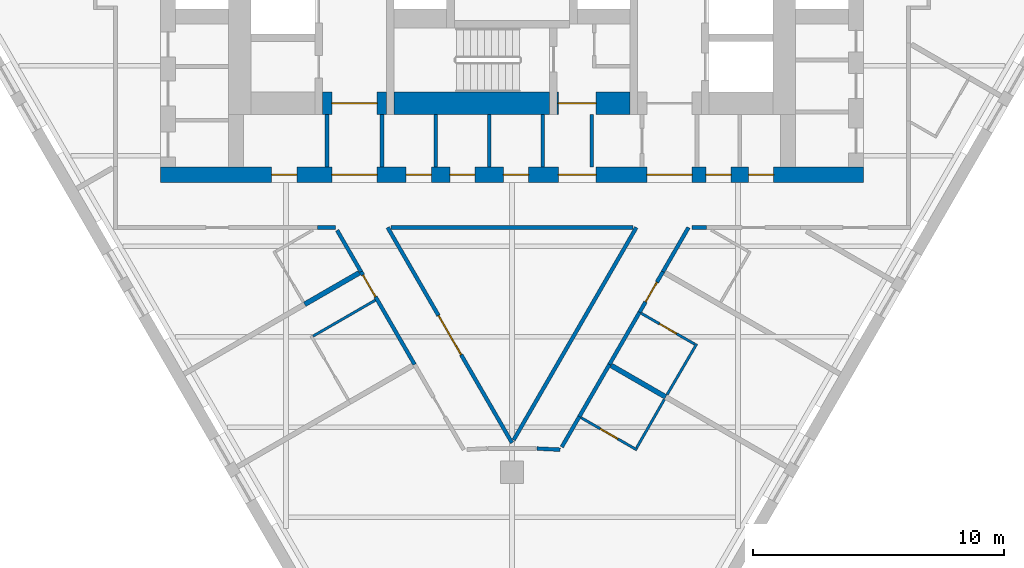
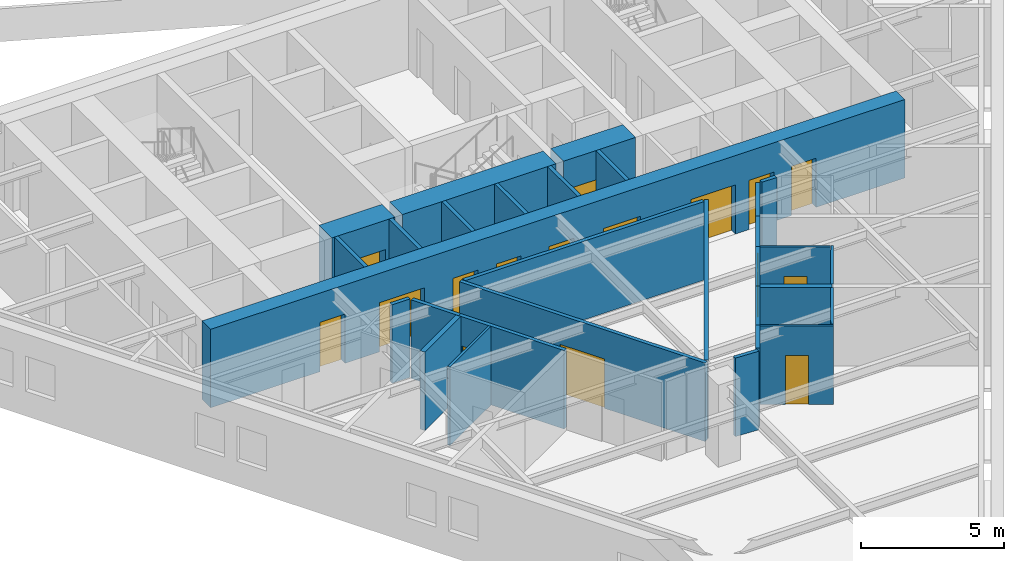
# One storey, part 3 of 10: 30 walls, 16 doors, 16 openings.
"""IFC4 building model written with IfcOpenShell, lengths in metres."""

from ifc_helpers import new_model, si_unit, direction, frame, frame_2d, origin, place, context, subcontext, project, spatial, rectangle, extrude, material, layer, layer_set, type_object, element, fill, save


model = new_model("IFC4")

# Units and contexts
model_context = context("Model", 3, precision=1e-05, world=origin(), true_north=direction((0.0, 1.0)))
body_context = subcontext(model_context, "Body", "Model", "MODEL_VIEW")
ifc_project = project(units=[si_unit("LENGTHUNIT", "METRE"), si_unit("AREAUNIT", "SQUARE_METRE"), si_unit("VOLUMEUNIT", "CUBIC_METRE"), si_unit("PLANEANGLEUNIT", "RADIAN"), si_unit("MASSUNIT", "GRAM", prefix="KILO")], contexts=[model_context])

# Site, building, storey
site_placement = place(None, origin())
site = spatial("IfcSite", under=ifc_project, at=site_placement, CompositionType="ELEMENT")
building_placement = place(site_placement, origin())
building = spatial("IfcBuilding", under=site, at=building_placement, Name="Aloe Facet Convention Tower", CompositionType="ELEMENT")
storey_placement = place(building_placement, frame((0.0, 0.0, 85.300048828125)))
storey = spatial("IfcBuildingStorey", under=building, at=storey_placement, Name="L20", CompositionType="ELEMENT", Elevation=85.300048828125)

# Walls
ifc_material_1 = material(Name="Concrete blockwork partition", Category="masonry")
ifc_layer_1 = layer(ifc_material_1, 0.14990234375)
ifc_layer_set_1 = layer_set([ifc_layer_1], Name="CR-W-PART150")
wall_type_1 = type_object("IfcWallType", Name="CR-W-PART150", PredefinedType="PARTITIONING", material=ifc_layer_set_1)
for number, where, z_axis, x_axis, name in (
    (1, (72.625, 122.25, 0.0), (0.0, 0.0, 1.0), (0.0, -1.0, 0.0), "Core partition L20-017"),
    (2, (74.824951171875, 122.25, 0.0), (0.0, 0.0, 1.0), (0.0, -1.0, 0.0), "Core partition L20-018"),
    (3, (76.958251953125, 122.25, 0.0), (0.0, 0.0, 1.0), (0.0, -1.0, 0.0), "Core partition L20-024"),
    (4, (79.091552734375, 122.25, 0.0), (0.0, 0.0, 1.0), (0.0, -1.0, 0.0), "Core partition L20-027"),
    (5, (81.22509765625, 122.25, 0.0), (0.0, 0.0, 1.0), (0.0, -1.0, 0.0), "Core partition L20-028"),
    (6, (83.175048828125, 122.25, 0.0), (0.0, 0.0, 1.0), (0.0, -1.0, 0.0), "Core partition L20-035"),
):
    element("IfcWall", number, at=place(storey_placement, frame(where, z_axis=z_axis, x_axis=x_axis)), inside=storey, type_object=wall_type_1, Name=name, PredefinedType="PARTITIONING", context=body_context, shape_type="SweptSolid", body=[
        extrude(rectangle(XDim=2.10009765625, YDim=0.14990234375, at=frame_2d((1.050048828125, 0.0))), origin(), (0.0, 0.0, 1.0), 3.349853515625),
    ])

# Wall, openings, doors
ifc_material_2 = material(Name="Concrete C70/85", Category="concrete")
ifc_layer_2 = layer(ifc_material_2, 0.60009765625)
ifc_layer_set_2 = layer_set([ifc_layer_2], Name="CR-W-RC600-C7085")
wall_type_2 = type_object("IfcWallType", Name="CR-W-RC600-C7085", PredefinedType="SOLIDWALL", material=ifc_layer_set_2)
wall_1_placement = place(storey_placement, frame((66.0, 119.85009765625, 0.0), z_axis=(0.0, 0.0, 1.0), x_axis=(1.0, 0.0, 0.0)))
wall_1 = element("IfcWall", 7, at=wall_1_placement, inside=storey, type_object=wall_type_2, Name="Core wall L20-003", PredefinedType="SOLIDWALL", context=body_context, shape_type="SweptSolid", body=[
    extrude(rectangle(XDim=28.0, YDim=0.60009765625, at=frame_2d((14.0, 0.0))), origin(), (0.0, 0.0, 1.0), 3.349853515625),
])
opening_1_placement = place(wall_1_placement, frame((6.824951171875, 0.0, 0.0)))
opening_1 = element("IfcOpeningElement", 8, at=opening_1_placement, cuts=wall_1, Name="Opening L20-CD17", PredefinedType="OPENING", context=body_context, shape_type="SweptSolid", body=[
    extrude(rectangle(XDim=1.800048828125, YDim=2.10009765625, at=frame_2d((0.89990234375, 1.050048828125))), frame((0.0, 0.31005859375, 0.0), z_axis=(0.0, -1.0, 0.0), x_axis=(1.0, 0.0, 0.0)), (0.0, 0.0, 1.0), 0.6201171875),
])
opening_2_placement = place(wall_1_placement, frame((15.85009765625, 0.0, 0.0)))
opening_2 = element("IfcOpeningElement", 9, at=opening_2_placement, cuts=wall_1, Name="Opening L20-CD18", PredefinedType="OPENING", context=body_context, shape_type="SweptSolid", body=[
    extrude(rectangle(XDim=1.5, YDim=2.10009765625, at=frame_2d((0.75, 1.050048828125))), frame((0.0, 0.31005859375, 0.0), z_axis=(0.0, -1.0, 0.0), x_axis=(1.0, 0.0, 0.0)), (0.0, 0.0, 1.0), 0.6201171875),
])
opening_3_placement = place(wall_1_placement, frame((19.375, 0.0, 0.0)))
opening_3 = element("IfcOpeningElement", 10, at=opening_3_placement, cuts=wall_1, Name="Opening L20-CD19", PredefinedType="OPENING", context=body_context, shape_type="SweptSolid", body=[
    extrude(rectangle(XDim=1.800048828125, YDim=2.10009765625, at=frame_2d((0.89990234375, 1.050048828125))), frame((0.0, 0.31005859375, 0.0), z_axis=(0.0, -1.0, 0.0), x_axis=(1.0, 0.0, 0.0)), (0.0, 0.0, 1.0), 0.6201171875),
])
opening_4_placement = place(wall_1_placement, frame((4.425048828125, 0.0, 0.0)))
opening_4 = element("IfcOpeningElement", 11, at=opening_4_placement, cuts=wall_1, Name="Opening L20-CD24", PredefinedType="OPENING", context=body_context, shape_type="SweptSolid", body=[
    extrude(rectangle(XDim=1.0, YDim=2.10009765625, at=frame_2d((0.5, 1.050048828125))), frame((0.0, 0.31005859375, 0.0), z_axis=(0.0, -1.0, 0.0), x_axis=(1.0, 0.0, 0.0)), (0.0, 0.0, 1.0), 0.6201171875),
])
opening_5_placement = place(wall_1_placement, frame((9.783203125, 0.0, 0.0)))
opening_5 = element("IfcOpeningElement", 12, at=opening_5_placement, cuts=wall_1, Name="Opening L20-CD25", PredefinedType="OPENING", context=body_context, shape_type="SweptSolid", body=[
    extrude(rectangle(XDim=1.0, YDim=2.10009765625, at=frame_2d((0.5, 1.050048828125))), frame((0.0, 0.31005859375, 0.0), z_axis=(0.0, -1.0, 0.0), x_axis=(1.0, 0.0, 0.0)), (0.0, 0.0, 1.0), 0.6201171875),
])
opening_6_placement = place(wall_1_placement, frame((11.52490234375, 0.0, 0.0)))
opening_6 = element("IfcOpeningElement", 13, at=opening_6_placement, cuts=wall_1, Name="Opening L20-CD26", PredefinedType="OPENING", context=body_context, shape_type="SweptSolid", body=[
    extrude(rectangle(XDim=1.0, YDim=2.10009765625, at=frame_2d((0.5, 1.050048828125))), frame((0.0, 0.31005859375, 0.0), z_axis=(0.0, -1.0, 0.0), x_axis=(1.0, 0.0, 0.0)), (0.0, 0.0, 1.0), 0.6201171875),
])
opening_7_placement = place(wall_1_placement, frame((13.658203125, 0.0, 0.0)))
opening_7 = element("IfcOpeningElement", 14, at=opening_7_placement, cuts=wall_1, Name="Opening L20-CD27", PredefinedType="OPENING", context=body_context, shape_type="SweptSolid", body=[
    extrude(rectangle(XDim=1.0, YDim=2.10009765625, at=frame_2d((0.5, 1.050048828125))), frame((0.0, 0.31005859375, 0.0), z_axis=(0.0, -1.0, 0.0), x_axis=(1.0, 0.0, 0.0)), (0.0, 0.0, 1.0), 0.6201171875),
])
opening_8_placement = place(wall_1_placement, frame((21.72509765625, 0.0, 0.0)))
opening_8 = element("IfcOpeningElement", 15, at=opening_8_placement, cuts=wall_1, Name="Opening L20-CD29", PredefinedType="OPENING", context=body_context, shape_type="SweptSolid", body=[
    extrude(rectangle(XDim=1.0, YDim=2.10009765625, at=frame_2d((0.5, 1.050048828125))), frame((0.0, 0.31005859375, 0.0), z_axis=(0.0, -1.0, 0.0), x_axis=(1.0, 0.0, 0.0)), (0.0, 0.0, 1.0), 0.6201171875),
])
opening_9_placement = place(wall_1_placement, frame((23.425048828125, 0.0, 0.0)))
opening_9 = element("IfcOpeningElement", 16, at=opening_9_placement, cuts=wall_1, Name="Opening L20-CD30", PredefinedType="OPENING", context=body_context, shape_type="SweptSolid", body=[
    extrude(rectangle(XDim=1.0, YDim=2.10009765625, at=frame_2d((0.5, 1.050048828125))), frame((0.0, 0.31005859375, 0.0), z_axis=(0.0, -1.0, 0.0), x_axis=(1.0, 0.0, 0.0)), (0.0, 0.0, 1.0), 0.6201171875),
])
ifc_material_3 = material(Name="Steel fire-resisting door set FD60", Category="steel")
door_type_1 = type_object("IfcDoorType", Name="CR-D-EXIT-1500-FD60-DD", OperationType="DOUBLE_DOOR_DOUBLE_SWING", PredefinedType="DOOR", material=ifc_material_3)
door_1_placement = place(opening_2_placement, origin())
door_1 = element("IfcDoor", 17, at=door_1_placement, inside=storey, type_object=door_type_1, Name="Core door L20-CD18", OperationType="DOUBLE_DOOR_DOUBLE_SWING", OverallHeight=2.10009765625, OverallWidth=1.5, PredefinedType="DOOR", context=body_context, shape_type="SweptSolid", body=[
    extrude(rectangle(XDim=1.5, YDim=2.10009765625, at=frame_2d((0.75, 1.050048828125))), frame((0.0, 0.02490234375, 0.0), z_axis=(0.0, -1.0, 0.0), x_axis=(1.0, 0.0, 0.0)), (0.0, 0.0, 1.0), 0.050048828125),
])
fill(opening_2, door_1)
ifc_material_4 = material(Name="Steel fire-resisting door set FD60", Category="steel")
door_type_2 = type_object("IfcDoorType", Name="CR-D-EXIT-1800-FD60-DD", OperationType="DOUBLE_DOOR_DOUBLE_SWING", PredefinedType="DOOR", material=ifc_material_4)
door_2_placement = place(opening_1_placement, origin())
door_2 = element("IfcDoor", 18, at=door_2_placement, inside=storey, type_object=door_type_2, Name="Core door L20-CD17", OperationType="DOUBLE_DOOR_DOUBLE_SWING", OverallHeight=2.10009765625, OverallWidth=1.800048828125, PredefinedType="DOOR", context=body_context, shape_type="SweptSolid", body=[
    extrude(rectangle(XDim=1.800048828125, YDim=2.10009765625, at=frame_2d((0.89990234375, 1.050048828125))), frame((0.0, 0.02490234375, 0.0), z_axis=(0.0, -1.0, 0.0), x_axis=(1.0, 0.0, 0.0)), (0.0, 0.0, 1.0), 0.050048828125),
])
fill(opening_1, door_2)
door_3_placement = place(opening_3_placement, origin())
door_3 = element("IfcDoor", 19, at=door_3_placement, inside=storey, type_object=door_type_2, Name="Core door L20-CD19", OperationType="DOUBLE_DOOR_DOUBLE_SWING", OverallHeight=2.10009765625, OverallWidth=1.800048828125, PredefinedType="DOOR", context=body_context, shape_type="SweptSolid", body=[
    extrude(rectangle(XDim=1.800048828125, YDim=2.10009765625, at=frame_2d((0.89990234375, 1.050048828125))), frame((0.0, 0.02490234375, 0.0), z_axis=(0.0, -1.0, 0.0), x_axis=(1.0, 0.0, 0.0)), (0.0, 0.0, 1.0), 0.050048828125),
])
fill(opening_3, door_3)
ifc_material_5 = material(Name="Steel fire-resisting door set FD60", Category="steel")
door_type_3 = type_object("IfcDoorType", Name="CR-D-ROOM-1000-FD60-SRIGHT", OperationType="SINGLE_SWING_RIGHT", PredefinedType="DOOR", material=ifc_material_5)
door_4_placement = place(opening_4_placement, origin())
door_4 = element("IfcDoor", 20, at=door_4_placement, inside=storey, type_object=door_type_3, Name="Core door L20-CD24", OperationType="SINGLE_SWING_RIGHT", OverallHeight=2.10009765625, OverallWidth=1.0, PredefinedType="DOOR", context=body_context, shape_type="SweptSolid", body=[
    extrude(rectangle(XDim=1.0, YDim=2.10009765625, at=frame_2d((0.5, 1.050048828125))), frame((0.0, 0.02490234375, 0.0), z_axis=(0.0, -1.0, 0.0), x_axis=(1.0, 0.0, 0.0)), (0.0, 0.0, 1.0), 0.050048828125),
])
fill(opening_4, door_4)
door_5_placement = place(opening_5_placement, origin())
door_5 = element("IfcDoor", 21, at=door_5_placement, inside=storey, type_object=door_type_3, Name="Core door L20-CD25", OperationType="SINGLE_SWING_RIGHT", OverallHeight=2.10009765625, OverallWidth=1.0, PredefinedType="DOOR", context=body_context, shape_type="SweptSolid", body=[
    extrude(rectangle(XDim=1.0, YDim=2.10009765625, at=frame_2d((0.5, 1.050048828125))), frame((0.0, 0.02490234375, 0.0), z_axis=(0.0, -1.0, 0.0), x_axis=(1.0, 0.0, 0.0)), (0.0, 0.0, 1.0), 0.050048828125),
])
fill(opening_5, door_5)
door_6_placement = place(opening_6_placement, origin())
door_6 = element("IfcDoor", 22, at=door_6_placement, inside=storey, type_object=door_type_3, Name="Core door L20-CD26", OperationType="SINGLE_SWING_RIGHT", OverallHeight=2.10009765625, OverallWidth=1.0, PredefinedType="DOOR", context=body_context, shape_type="SweptSolid", body=[
    extrude(rectangle(XDim=1.0, YDim=2.10009765625, at=frame_2d((0.5, 1.050048828125))), frame((0.0, 0.02490234375, 0.0), z_axis=(0.0, -1.0, 0.0), x_axis=(1.0, 0.0, 0.0)), (0.0, 0.0, 1.0), 0.050048828125),
])
fill(opening_6, door_6)
door_7_placement = place(opening_7_placement, origin())
door_7 = element("IfcDoor", 23, at=door_7_placement, inside=storey, type_object=door_type_3, Name="Core door L20-CD27", OperationType="SINGLE_SWING_RIGHT", OverallHeight=2.10009765625, OverallWidth=1.0, PredefinedType="DOOR", context=body_context, shape_type="SweptSolid", body=[
    extrude(rectangle(XDim=1.0, YDim=2.10009765625, at=frame_2d((0.5, 1.050048828125))), frame((0.0, 0.02490234375, 0.0), z_axis=(0.0, -1.0, 0.0), x_axis=(1.0, 0.0, 0.0)), (0.0, 0.0, 1.0), 0.050048828125),
])
fill(opening_7, door_7)
door_8_placement = place(opening_8_placement, origin())
door_8 = element("IfcDoor", 24, at=door_8_placement, inside=storey, type_object=door_type_3, Name="Core door L20-CD29", OperationType="SINGLE_SWING_RIGHT", OverallHeight=2.10009765625, OverallWidth=1.0, PredefinedType="DOOR", context=body_context, shape_type="SweptSolid", body=[
    extrude(rectangle(XDim=1.0, YDim=2.10009765625, at=frame_2d((0.5, 1.050048828125))), frame((0.0, 0.02490234375, 0.0), z_axis=(0.0, -1.0, 0.0), x_axis=(1.0, 0.0, 0.0)), (0.0, 0.0, 1.0), 0.050048828125),
])
fill(opening_8, door_8)
door_9_placement = place(opening_9_placement, origin())
door_9 = element("IfcDoor", 25, at=door_9_placement, inside=storey, type_object=door_type_3, Name="Core door L20-CD30", OperationType="SINGLE_SWING_RIGHT", OverallHeight=2.10009765625, OverallWidth=1.0, PredefinedType="DOOR", context=body_context, shape_type="SweptSolid", body=[
    extrude(rectangle(XDim=1.0, YDim=2.10009765625, at=frame_2d((0.5, 1.050048828125))), frame((0.0, 0.02490234375, 0.0), z_axis=(0.0, -1.0, 0.0), x_axis=(1.0, 0.0, 0.0)), (0.0, 0.0, 1.0), 0.050048828125),
])
fill(opening_9, door_9)

# Wall, opening, door
ifc_material_6 = material(Name="Concrete C70/85", Category="concrete")
ifc_layer_3 = layer(ifc_material_6, 0.89990234375)
ifc_layer_set_3 = layer_set([ifc_layer_3], Name="CR-W-RC900-C7085")
wall_type_3 = type_object("IfcWallType", Name="CR-W-RC900-C7085", PredefinedType="SOLIDWALL", material=ifc_layer_set_3)
wall_2_placement = place(storey_placement, frame((72.449951171875, 122.699951171875, 0.0), z_axis=(0.0, 0.0, 1.0), x_axis=(1.0, 0.0, 0.0)))
wall_2 = element("IfcWall", 26, at=wall_2_placement, inside=storey, type_object=wall_type_3, Name="Core wall L20-016", PredefinedType="SOLIDWALL", context=body_context, shape_type="SweptSolid", body=[
    extrude(rectangle(XDim=2.550048828125, YDim=0.89990234375, at=frame_2d((1.27490234375, 0.0))), origin(), (0.0, 0.0, 1.0), 3.349853515625),
])
opening_10_placement = place(wall_2_placement, frame((0.375, 0.0, 0.0)))
opening_10 = element("IfcOpeningElement", 27, at=opening_10_placement, cuts=wall_2, Name="Opening L20-CD15", PredefinedType="OPENING", context=body_context, shape_type="SweptSolid", body=[
    extrude(rectangle(XDim=1.800048828125, YDim=2.10009765625, at=frame_2d((0.89990234375, 1.050048828125))), frame((0.0, 0.4599609375, 0.0), z_axis=(0.0, -1.0, 0.0), x_axis=(1.0, 0.0, 0.0)), (0.0, 0.0, 1.0), 0.919921875),
])
ifc_material_7 = material(Name="Steel fire-resisting door set FD120", Category="steel")
door_type_4 = type_object("IfcDoorType", Name="CR-D-EXIT-1800-FD120-DD", OperationType="DOUBLE_DOOR_DOUBLE_SWING", PredefinedType="DOOR", material=ifc_material_7)
door_10_placement = place(opening_10_placement, origin())
door_10 = element("IfcDoor", 28, at=door_10_placement, inside=storey, type_object=door_type_4, Name="Core door L20-CD15", OperationType="DOUBLE_DOOR_DOUBLE_SWING", OverallHeight=2.10009765625, OverallWidth=1.800048828125, PredefinedType="DOOR", context=body_context, shape_type="SweptSolid", body=[
    extrude(rectangle(XDim=1.800048828125, YDim=2.10009765625, at=frame_2d((0.89990234375, 1.050048828125))), frame((0.0, 0.02490234375, 0.0), z_axis=(0.0, -1.0, 0.0), x_axis=(1.0, 0.0, 0.0)), (0.0, 0.0, 1.0), 0.050048828125),
])
fill(opening_10, door_10)

# Wall
wall_3_placement = place(storey_placement, frame((75.300048828125, 122.699951171875, 0.0), z_axis=(0.0, 0.0, 1.0), x_axis=(1.0, 0.0, 0.0)))
element("IfcWall", 29, at=wall_3_placement, inside=storey, type_object=wall_type_3, Name="Core wall L20-023", PredefinedType="SOLIDWALL", context=body_context, shape_type="SweptSolid", body=[
    extrude(rectangle(XDim=6.199951171875, YDim=0.89990234375, at=frame_2d((3.10009765625, 0.0))), origin(), (0.0, 0.0, 1.0), 3.349853515625),
])

# Wall, opening, door
wall_4_placement = place(storey_placement, frame((81.800048828125, 122.699951171875, 0.0), z_axis=(0.0, 0.0, 1.0), x_axis=(1.0, 0.0, 0.0)))
wall_4 = element("IfcWall", 30, at=wall_4_placement, inside=storey, type_object=wall_type_3, Name="Core wall L20-030", PredefinedType="SOLIDWALL", context=body_context, shape_type="SweptSolid", body=[
    extrude(rectangle(XDim=2.89990234375, YDim=0.89990234375, at=frame_2d((1.449951171875, 0.0))), origin(), (0.0, 0.0, 1.0), 3.349853515625),
])
opening_11_placement = place(wall_4_placement, frame((0.050048828125, 0.0, 0.0)))
opening_11 = element("IfcOpeningElement", 31, at=opening_11_placement, cuts=wall_4, Name="Opening L20-CD16", PredefinedType="OPENING", context=body_context, shape_type="SweptSolid", body=[
    extrude(rectangle(XDim=1.5, YDim=2.10009765625, at=frame_2d((0.75, 1.050048828125))), frame((0.0, 0.4599609375, 0.0), z_axis=(0.0, -1.0, 0.0), x_axis=(1.0, 0.0, 0.0)), (0.0, 0.0, 1.0), 0.919921875),
])
door_11_placement = place(opening_11_placement, origin())
door_11 = element("IfcDoor", 32, at=door_11_placement, inside=storey, type_object=door_type_1, Name="Core door L20-CD16", OperationType="DOUBLE_DOOR_DOUBLE_SWING", OverallHeight=2.10009765625, OverallWidth=1.5, PredefinedType="DOOR", context=body_context, shape_type="SweptSolid", body=[
    extrude(rectangle(XDim=1.5, YDim=2.10009765625, at=frame_2d((0.75, 1.050048828125))), frame((0.0, 0.02490234375, 0.0), z_axis=(0.0, -1.0, 0.0), x_axis=(1.0, 0.0, 0.0)), (0.0, 0.0, 1.0), 0.050048828125),
])
fill(opening_11, door_11)

# Walls
ifc_material_8 = material(Name="Gypsum board partition on steel studs", Category="steel")
ifc_layer_4 = layer(ifc_material_8, 0.14990234375)
ifc_layer_set_4 = layer_set([ifc_layer_4], Name="IN-W-CORR")
wall_type_4 = type_object("IfcWallType", Name="IN-W-CORR", PredefinedType="PARTITIONING", material=ifc_layer_set_4)
wall_5_placement = place(storey_placement, frame((81.00048828125, 108.942626953125, 0.0), z_axis=(0.0, 0.0, 1.0), x_axis=(0.998784510433, -0.04928997584, 0.0)))
element("IfcWall", 33, at=wall_5_placement, inside=storey, type_object=wall_type_4, Name="Partition L20-W004", PredefinedType="PARTITIONING", context=body_context, shape_type="SweptSolid", body=[
    extrude(rectangle(XDim=0.92138671875, YDim=0.14990234375, at=frame_2d((0.460693359375, 0.0))), origin(), (0.0, 0.0, 1.0), 3.349853515625),
])
wall_6_placement = place(storey_placement, frame((82.680908203125, 110.2138671875, 0.0), z_axis=(0.0, 0.0, 1.0), x_axis=(0.500001309137, 0.866024647952, 0.0)))
element("IfcWall", 34, at=wall_6_placement, inside=storey, type_object=wall_type_4, Name="Partition L20-W010", PredefinedType="PARTITIONING", context=body_context, shape_type="SweptSolid", body=[
    extrude(rectangle(XDim=2.39990234375, YDim=0.14990234375, at=frame_2d((1.199951171875, 0.0))), origin(), (0.0, 0.0, 1.0), 3.349853515625),
])
wall_7_placement = place(storey_placement, frame((81.982177734375, 109.003662109375, 0.0), z_axis=(0.0, 0.0, 1.0), x_axis=(0.500009789943, 0.866019751484, 0.0)))
element("IfcWall", 35, at=wall_7_placement, inside=storey, type_object=wall_type_4, Name="Partition L20-W011", PredefinedType="PARTITIONING", context=body_context, shape_type="SweptSolid", body=[
    extrude(rectangle(XDim=1.3974609375, YDim=0.14990234375, at=frame_2d((0.69873046875, 0.0))), origin(), (0.0, 0.0, 1.0), 3.349853515625),
])

# Wall, opening, door
wall_8_placement = place(storey_placement, frame((73.987060546875, 115.9853515625, 0.0), z_axis=(0.0, 0.0, 1.0), x_axis=(0.4999752019, -0.866039720501, 0.0)))
wall_8 = element("IfcWall", 36, at=wall_8_placement, inside=storey, type_object=wall_type_4, Name="Partition L20-W019", PredefinedType="PARTITIONING", context=body_context, shape_type="SweptSolid", body=[
    extrude(rectangle(XDim=4.264404296875, YDim=0.14990234375, at=frame_2d((2.13232421875, 0.0))), origin(), (0.0, 0.0, 1.0), 3.349853515625),
])
opening_12_placement = place(wall_8_placement, frame((0.14990234375, 0.0, 0.0)))
opening_12 = element("IfcOpeningElement", 37, at=opening_12_placement, cuts=wall_8, Name="Opening L20-002", PredefinedType="OPENING", context=body_context, shape_type="SweptSolid", body=[
    extrude(rectangle(XDim=1.0, YDim=2.10009765625, at=frame_2d((0.5, 1.050048828125))), frame((0.0, 0.0849609375, 0.0), z_axis=(0.0, -1.0, 0.0), x_axis=(1.0, 0.0, 0.0)), (0.0, 0.0, 1.0), 0.169921875),
])
ifc_material_9 = material(Name="Hardwood flush door FD30S", Category="wood")
door_type_5 = type_object("IfcDoorType", Name="IN-D-WIDE", OperationType="SINGLE_SWING_LEFT", PredefinedType="DOOR", material=ifc_material_9)
door_12_placement = place(opening_12_placement, origin())
door_12 = element("IfcDoor", 38, at=door_12_placement, inside=storey, type_object=door_type_5, Name="Door L20-002", OperationType="SINGLE_SWING_LEFT", OverallHeight=2.10009765625, OverallWidth=1.0, PredefinedType="DOOR", context=body_context, shape_type="SweptSolid", body=[
    extrude(rectangle(XDim=1.0, YDim=2.10009765625, at=frame_2d((0.5, 1.050048828125))), frame((0.0, 0.02490234375, 0.0), z_axis=(0.0, -1.0, 0.0), x_axis=(1.0, 0.0, 0.0)), (0.0, 0.0, 1.0), 0.050048828125),
])
fill(opening_12, door_12)

# Wall
wall_9_placement = place(storey_placement, frame((83.880859375, 112.292236328125, 0.0), z_axis=(0.0, 0.0, 1.0), x_axis=(0.500001309137, 0.866024647952, 0.0)))
element("IfcWall", 39, at=wall_9_placement, inside=storey, type_object=wall_type_4, Name="Partition L20-W021", PredefinedType="PARTITIONING", context=body_context, shape_type="SweptSolid", body=[
    extrude(rectangle(XDim=2.39990234375, YDim=0.14990234375, at=frame_2d((1.199951171875, 0.0))), origin(), (0.0, 0.0, 1.0), 3.349853515625),
])

# Wall, opening, door
wall_10_placement = place(storey_placement, frame((85.080810546875, 114.37060546875, 0.0), z_axis=(0.0, 0.0, 1.0), x_axis=(0.499941596792, 0.866059120267, 0.0)))
wall_10 = element("IfcWall", 40, at=wall_10_placement, inside=storey, type_object=wall_type_4, Name="Partition L20-W032", PredefinedType="PARTITIONING", context=body_context, shape_type="SweptSolid", body=[
    extrude(rectangle(XDim=1.864501953125, YDim=0.14990234375, at=frame_2d((0.93212890625, 0.0))), origin(), (0.0, 0.0, 1.0), 3.349853515625),
])
opening_13_placement = place(wall_10_placement, frame((0.482177734375, 0.0, 0.0)))
opening_13 = element("IfcOpeningElement", 41, at=opening_13_placement, cuts=wall_10, Name="Opening L20-004", PredefinedType="OPENING", context=body_context, shape_type="SweptSolid", body=[
    extrude(rectangle(XDim=0.89990234375, YDim=2.10009765625, at=frame_2d((0.449951171875, 1.050048828125))), frame((0.0, 0.0849609375, 0.0), z_axis=(0.0, -1.0, 0.0), x_axis=(1.0, 0.0, 0.0)), (0.0, 0.0, 1.0), 0.169921875),
])
ifc_material_10 = material(Name="Hardwood flush door FD30S", Category="wood")
door_type_6 = type_object("IfcDoorType", Name="IN-D-GUEST", OperationType="SINGLE_SWING_LEFT", PredefinedType="DOOR", material=ifc_material_10)
door_13_placement = place(opening_13_placement, origin())
door_13 = element("IfcDoor", 42, at=door_13_placement, inside=storey, type_object=door_type_6, Name="Door L20-004", OperationType="SINGLE_SWING_LEFT", OverallHeight=2.10009765625, OverallWidth=0.89990234375, PredefinedType="DOOR", context=body_context, shape_type="SweptSolid", body=[
    extrude(rectangle(XDim=0.89990234375, YDim=2.10009765625, at=frame_2d((0.449951171875, 1.050048828125))), frame((0.0, 0.02490234375, 0.0), z_axis=(0.0, -1.0, 0.0), x_axis=(1.0, 0.0, 0.0)), (0.0, 0.0, 1.0), 0.050048828125),
])
fill(opening_13, door_13)

# Walls
wall_11_placement = place(storey_placement, frame((86.012939453125, 115.9853515625, 0.0), z_axis=(0.0, 0.0, 1.0), x_axis=(0.499992114976, 0.866029956157, 0.0)))
element("IfcWall", 43, at=wall_11_placement, inside=storey, type_object=wall_type_4, Name="Partition L20-W034", PredefinedType="PARTITIONING", context=body_context, shape_type="SweptSolid", body=[
    extrude(rectangle(XDim=2.03759765625, YDim=0.14990234375, at=frame_2d((1.018798828125, 0.0))), origin(), (0.0, 0.0, 1.0), 3.349853515625),
])
wall_12_placement = place(storey_placement, frame((72.24365234375, 117.75, 0.0), z_axis=(0.0, 0.0, 1.0), x_axis=(1.0, 0.0, 0.0)))
element("IfcWall", 44, at=wall_12_placement, inside=storey, type_object=wall_type_4, Name="Partition L20-W038", PredefinedType="PARTITIONING", context=body_context, shape_type="SweptSolid", body=[
    extrude(rectangle(XDim=0.724609375, YDim=0.14990234375, at=frame_2d((0.3623046875, 0.0))), origin(), (0.0, 0.0, 1.0), 3.349853515625),
])
wall_13_placement = place(storey_placement, frame((73.033203125, 117.637451171875, 0.0), z_axis=(0.0, 0.0, 1.0), x_axis=(0.500006788699, -0.866021484292, 0.0)))
element("IfcWall", 45, at=wall_13_placement, inside=storey, type_object=wall_type_4, Name="Partition L20-W040", PredefinedType="PARTITIONING", context=body_context, shape_type="SweptSolid", body=[
    extrude(rectangle(XDim=1.90771484375, YDim=0.14990234375, at=frame_2d((0.953857421875, 0.0))), origin(), (0.0, 0.0, 1.0), 3.349853515625),
])

# Wall, opening, door
wall_14_placement = place(storey_placement, frame((75.046630859375, 117.75, 0.0), z_axis=(0.0, 0.0, 1.0), x_axis=(0.499995505729, -0.866027998537, 0.0)))
wall_14 = element("IfcWall", 46, at=wall_14_placement, inside=storey, type_object=wall_type_4, Name="Partition L20-W041", PredefinedType="PARTITIONING", context=body_context, shape_type="SweptSolid", body=[
    extrude(rectangle(XDim=9.90673828125, YDim=0.14990234375, at=frame_2d((4.953369140625, 0.0))), origin(), (0.0, 0.0, 1.0), 3.349853515625),
])
opening_14_placement = place(wall_14_placement, frame((4.053466796875, 0.0, 0.0)))
opening_14 = element("IfcOpeningElement", 47, at=opening_14_placement, cuts=wall_14, Name="Opening L20-009", PredefinedType="OPENING", context=body_context, shape_type="SweptSolid", body=[
    extrude(rectangle(XDim=1.800048828125, YDim=2.10009765625, at=frame_2d((0.89990234375, 1.050048828125))), frame((0.0, 0.0849609375, 0.0), z_axis=(0.0, -1.0, 0.0), x_axis=(1.0, 0.0, 0.0)), (0.0, 0.0, 1.0), 0.169921875),
])
ifc_material_11 = material(Name="Timber flush door pair", Category="wood")
door_type_7 = type_object("IfcDoorType", Name="IN-D-PAIR-U", OperationType="DOUBLE_DOOR_SINGLE_SWING", PredefinedType="DOOR", material=ifc_material_11)
door_14_placement = place(opening_14_placement, origin())
door_14 = element("IfcDoor", 48, at=door_14_placement, inside=storey, type_object=door_type_7, Name="Door L20-009", OperationType="SINGLE_SWING_LEFT", OverallHeight=2.10009765625, OverallWidth=1.800048828125, PredefinedType="DOOR", context=body_context, shape_type="SweptSolid", body=[
    extrude(rectangle(XDim=1.800048828125, YDim=2.10009765625, at=frame_2d((0.89990234375, 1.050048828125))), frame((0.0, 0.02490234375, 0.0), z_axis=(0.0, -1.0, 0.0), x_axis=(1.0, 0.0, 0.0)), (0.0, 0.0, 1.0), 0.050048828125),
])
fill(opening_14, door_14)

# Walls
wall_15_placement = place(storey_placement, frame((80.06494140625, 109.282958984375, 0.0), z_axis=(0.0, 0.0, 1.0), x_axis=(0.49999841397, 0.866026319477, 0.0)))
element("IfcWall", 49, at=wall_15_placement, inside=storey, type_object=wall_type_4, Name="Partition L20-W042", PredefinedType="PARTITIONING", context=body_context, shape_type="SweptSolid", body=[
    extrude(rectangle(XDim=9.77685546875, YDim=0.14990234375, at=frame_2d((4.888427734375, 0.0))), origin(), (0.0, 0.0, 1.0), 3.349853515625),
])
wall_16_placement = place(storey_placement, frame((75.176513671875, 117.75, 0.0), z_axis=(0.0, 0.0, 1.0), x_axis=(1.0, 0.0, 0.0)))
element("IfcWall", 50, at=wall_16_placement, inside=storey, type_object=wall_type_4, Name="Partition L20-W043", PredefinedType="PARTITIONING", context=body_context, shape_type="SweptSolid", body=[
    extrude(rectangle(XDim=9.64697265625, YDim=0.14990234375, at=frame_2d((4.823486328125, 0.0))), origin(), (0.0, 0.0, 1.0), 3.349853515625),
])
wall_17_placement = place(storey_placement, frame((87.16162109375, 117.75, 0.0), z_axis=(0.0, 0.0, 1.0), x_axis=(1.0, 0.0, 0.0)))
element("IfcWall", 51, at=wall_17_placement, inside=storey, type_object=wall_type_4, Name="Partition L20-W044", PredefinedType="PARTITIONING", context=body_context, shape_type="SweptSolid", body=[
    extrude(rectangle(XDim=0.5947265625, YDim=0.14990234375, at=frame_2d((0.29736328125, 0.0))), origin(), (0.0, 0.0, 1.0), 3.349853515625),
])

# Wall, opening, door
ifc_material_12 = material(Name="Gypsum board partition on steel studs", Category="steel")
ifc_layer_5 = layer(ifc_material_12, 0.10009765625)
ifc_layer_set_5 = layer_set([ifc_layer_5], Name="IN-W-PART")
wall_type_5 = type_object("IfcWallType", Name="IN-W-PART", PredefinedType="PARTITIONING", material=ifc_layer_set_5)
wall_18_placement = place(storey_placement, frame((82.75439453125, 110.17138671875, 0.0), z_axis=(0.0, 0.0, 1.0), x_axis=(0.866038183914, -0.499977863513, 0.0)))
wall_18 = element("IfcWall", 52, at=wall_18_placement, inside=storey, type_object=wall_type_5, Name="Partition L20-W005", PredefinedType="PARTITIONING", context=body_context, shape_type="SweptSolid", body=[
    extrude(rectangle(XDim=2.56494140625, YDim=0.10009765625, at=frame_2d((1.282470703125, 0.0))), origin(), (0.0, 0.0, 1.0), 3.349853515625),
])
opening_15_placement = place(wall_18_placement, frame((0.882568359375, 0.0, 0.0)))
opening_15 = element("IfcOpeningElement", 53, at=opening_15_placement, cuts=wall_18, Name="Opening L20-012", PredefinedType="OPENING", context=body_context, shape_type="SweptSolid", body=[
    extrude(rectangle(XDim=0.800048828125, YDim=2.10009765625, at=frame_2d((0.39990234375, 1.050048828125))), frame((0.0, 0.06005859375, 0.0), z_axis=(0.0, -1.0, 0.0), x_axis=(1.0, 0.0, 0.0)), (0.0, 0.0, 1.0), 0.1201171875),
])
ifc_material_13 = material(Name="Timber flush door", Category="wood")
door_type_8 = type_object("IfcDoorType", Name="IN-D-BATH", OperationType="SINGLE_SWING_LEFT", PredefinedType="DOOR", material=ifc_material_13)
door_15_placement = place(opening_15_placement, origin())
door_15 = element("IfcDoor", 54, at=door_15_placement, inside=storey, type_object=door_type_8, Name="Door L20-012", OperationType="SINGLE_SWING_LEFT", OverallHeight=2.10009765625, OverallWidth=0.800048828125, PredefinedType="DOOR", context=body_context, shape_type="SweptSolid", body=[
    extrude(rectangle(XDim=0.800048828125, YDim=2.10009765625, at=frame_2d((0.39990234375, 1.050048828125))), frame((0.0, 0.02490234375, 0.0), z_axis=(0.0, -1.0, 0.0), x_axis=(1.0, 0.0, 0.0)), (0.0, 0.0, 1.0), 0.050048828125),
])
fill(opening_15, door_15)

# Walls
wall_19_placement = place(storey_placement, frame((84.962158203125, 108.9658203125, 0.0), z_axis=(0.0, 0.0, 1.0), x_axis=(0.496351132973, 0.868121853657, 0.0)))
element("IfcWall", 55, at=wall_19_placement, inside=storey, type_object=wall_type_5, Name="Partition L20-W013", PredefinedType="PARTITIONING", context=body_context, shape_type="SweptSolid", body=[
    extrude(rectangle(XDim=2.230224609375, YDim=0.10009765625, at=frame_2d((1.115234375, 0.0))), origin(), (0.0, 0.0, 1.0), 3.349853515625),
])
wall_20_placement = place(storey_placement, frame((86.17919921875, 111.09228515625, 0.0), z_axis=(0.0, 0.0, 1.0), x_axis=(0.503592070056, 0.863941564561, 0.0)))
element("IfcWall", 56, at=wall_20_placement, inside=storey, type_object=wall_type_5, Name="Partition L20-W022", PredefinedType="PARTITIONING", context=body_context, shape_type="SweptSolid", body=[
    extrude(rectangle(XDim=2.340087890625, YDim=0.10009765625, at=frame_2d((1.169921875, 0.0))), origin(), (0.0, 0.0, 1.0), 3.349853515625),
])
wall_21_placement = place(storey_placement, frame((72.072998046875, 113.42041015625, 0.0), z_axis=(0.0, 0.0, 1.0), x_axis=(0.866047940603, 0.499960963054, 0.0)))
element("IfcWall", 57, at=wall_21_placement, inside=storey, type_object=wall_type_5, Name="Partition L20-W023", PredefinedType="PARTITIONING", context=body_context, shape_type="SweptSolid", body=[
    extrude(rectangle(XDim=2.864990234375, YDim=0.10009765625, at=frame_2d((1.4326171875, 0.0))), origin(), (0.0, 0.0, 1.0), 3.349853515625),
])

# Wall, opening, door
wall_22_placement = place(storey_placement, frame((85.154296875, 114.328125, 0.0), z_axis=(0.0, 0.0, 1.0), x_axis=(0.866074639999, -0.499914710676, 0.0)))
wall_22 = element("IfcWall", 58, at=wall_22_placement, inside=storey, type_object=wall_type_5, Name="Partition L20-W024", PredefinedType="PARTITIONING", context=body_context, shape_type="SweptSolid", body=[
    extrude(rectangle(XDim=2.455078125, YDim=0.10009765625, at=frame_2d((1.2275390625, 0.0))), origin(), (0.0, 0.0, 1.0), 3.349853515625),
])
opening_16_placement = place(wall_22_placement, frame((0.827392578125, 0.0, 0.0)))
opening_16 = element("IfcOpeningElement", 59, at=opening_16_placement, cuts=wall_22, Name="Opening L20-013", PredefinedType="OPENING", context=body_context, shape_type="SweptSolid", body=[
    extrude(rectangle(XDim=0.800048828125, YDim=2.10009765625, at=frame_2d((0.39990234375, 1.050048828125))), frame((0.0, 0.06005859375, 0.0), z_axis=(0.0, -1.0, 0.0), x_axis=(1.0, 0.0, 0.0)), (0.0, 0.0, 1.0), 0.1201171875),
])
door_16_placement = place(opening_16_placement, origin())
door_16 = element("IfcDoor", 60, at=door_16_placement, inside=storey, type_object=door_type_8, Name="Door L20-013", OperationType="SINGLE_SWING_LEFT", OverallHeight=2.10009765625, OverallWidth=0.800048828125, PredefinedType="DOOR", context=body_context, shape_type="SweptSolid", body=[
    extrude(rectangle(XDim=0.800048828125, YDim=2.10009765625, at=frame_2d((0.39990234375, 1.050048828125))), frame((0.0, 0.02490234375, 0.0), z_axis=(0.0, -1.0, 0.0), x_axis=(1.0, 0.0, 0.0)), (0.0, 0.0, 1.0), 0.050048828125),
])
fill(opening_16, door_16)

# Walls
ifc_material_14 = material(Name="Gypsum board partition on steel studs", Category="steel")
ifc_layer_6 = layer(ifc_material_14, 0.199951171875)
ifc_layer_set_6 = layer_set([ifc_layer_6], Name="IN-W-PARTY")
wall_type_6 = type_object("IfcWallType", Name="IN-W-PARTY", PredefinedType="PARTITIONING", material=ifc_layer_set_6)
wall_23_placement = place(storey_placement, frame((83.954345703125, 112.249755859375, 0.0), z_axis=(0.0, 0.0, 1.0), x_axis=(0.866039519639, -0.499975549825, 0.0)))
element("IfcWall", 61, at=wall_23_placement, inside=storey, type_object=wall_type_6, Name="Partition L20-W015", PredefinedType="PARTITIONING", context=body_context, shape_type="SweptSolid", body=[
    extrude(rectangle(XDim=2.505126953125, YDim=0.199951171875, at=frame_2d((1.25244140625, 0.0))), origin(), (0.0, 0.0, 1.0), 3.349853515625),
])
wall_24_placement = place(storey_placement, frame((71.744140625, 114.690185546875, 0.0), z_axis=(0.0, 0.0, 1.0), x_axis=(0.865972946165, 0.500090848258, 0.0)))
element("IfcWall", 62, at=wall_24_placement, inside=storey, type_object=wall_type_6, Name="Partition L20-W031", PredefinedType="PARTITIONING", context=body_context, shape_type="SweptSolid", body=[
    extrude(rectangle(XDim=2.5048828125, YDim=0.199951171875, at=frame_2d((1.25244140625, 0.0))), origin(), (0.0, 0.0, 1.0), 3.349853515625),
])

save(model, "model.ifc")
